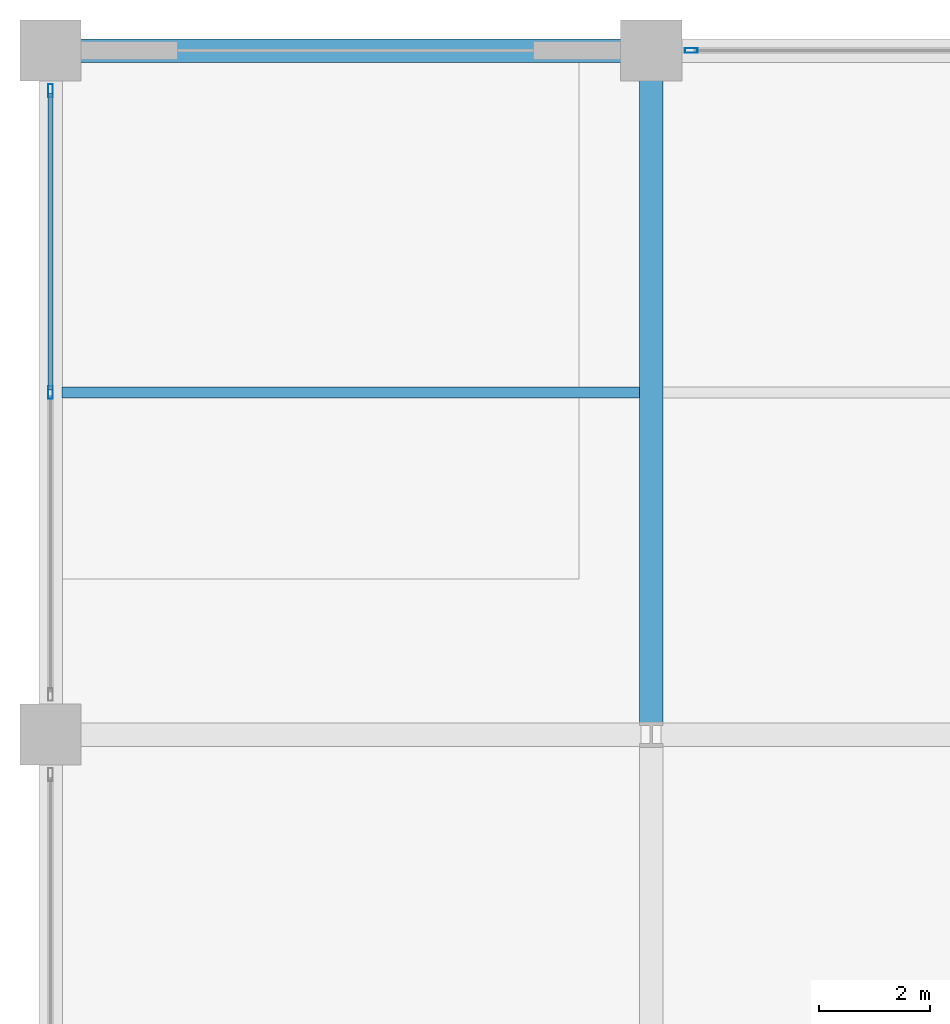
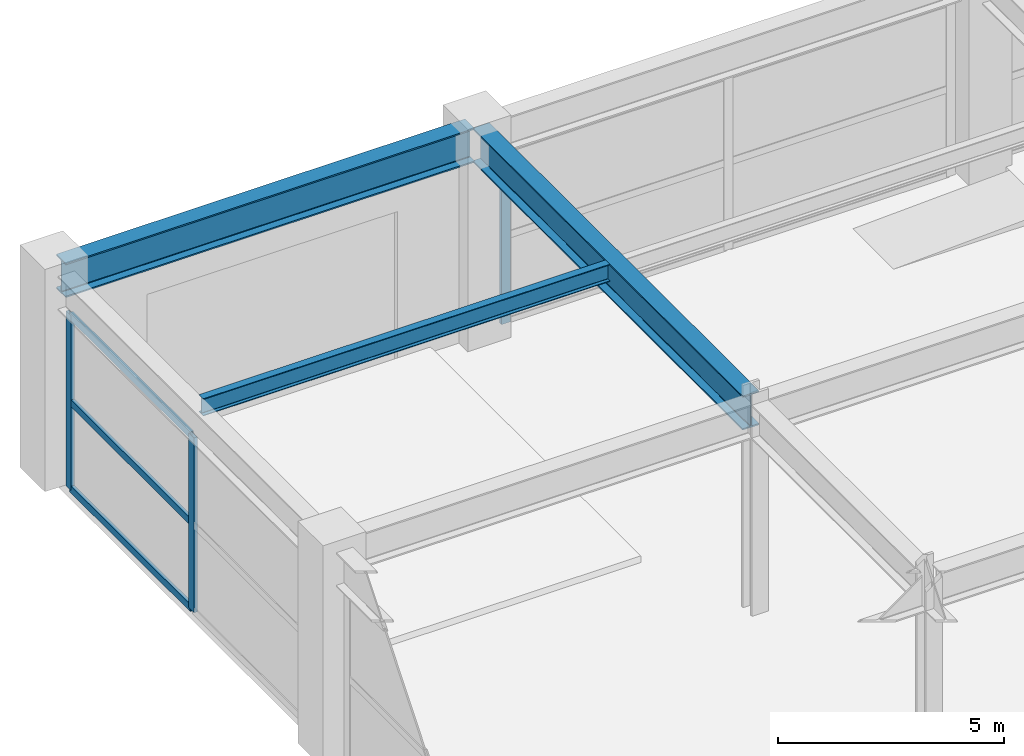
# One storey, part 15 of 41: 6 members, 3 beams, 2 elements without a shape of their own.
"""IFC4 building model written with IfcOpenShell, lengths in metres."""

from ifc_helpers import new_model, si_unit, direction, frame, origin, origin_2d, place, context, subcontext, project, spatial, hollow_rectangle, i_section, extrude, material, material_profile, profile_set, type_object, element, aggregate, save


model = new_model("IFC4")

# Units and contexts
model_context = context("Model", 3, precision=1e-05, world=origin(), true_north=direction((0.0, 1.0)))
body_context = subcontext(model_context, "Body", "Model", "MODEL_VIEW")
ifc_project = project(units=[si_unit("LENGTHUNIT", "METRE"), si_unit("AREAUNIT", "SQUARE_METRE"), si_unit("VOLUMEUNIT", "CUBIC_METRE"), si_unit("PLANEANGLEUNIT", "RADIAN"), si_unit("MASSUNIT", "GRAM", prefix="KILO")], contexts=[model_context])

# Site, building, storey
site_placement = place(None, origin())
site = spatial("IfcSite", under=ifc_project, at=site_placement, CompositionType="ELEMENT")
building_placement = place(site_placement, origin())
building = spatial("IfcBuilding", under=site, at=building_placement, Name="Kovane Verandah Tower", CompositionType="ELEMENT")
storey_placement = place(building_placement, origin())
storey = spatial("IfcBuildingStorey", under=building, at=storey_placement, Name="L00", CompositionType="ELEMENT", Elevation=0.0)

# Beams
ifc_material_1 = material(Name="Steel S460", Category="steel")
ifc_material_profile_1 = material_profile(ifc_material_1, i_section(OverallWidth=0.42041015625, OverallDepth=0.9208984375, WebThickness=0.021484375, FlangeThickness=0.03662109375, FilletRadius=0.024169921875, at=origin_2d()), Name="UB914x419x388")
ifc_profile_set_1 = profile_set([ifc_material_profile_1], Name="Steel S460")
beam_type_1 = type_object("IfcBeamType", Name="BM-UB914x388", PredefinedType="BEAM", material=ifc_profile_set_1)
beam_1_placement = place(storey_placement, frame((-1.820068359375, 56.5, 5.239501953125), z_axis=(1.0, 0.0, 0.0), x_axis=(0.0, 1.0, 0.0)))
element("IfcBeam", 1, at=beam_1_placement, inside=storey, type_object=beam_type_1, Name="L00 Podium Grid Girder X24", PredefinedType="BEAM", context=body_context, shape_type="SweptSolid", body=[
    extrude(i_section(OverallWidth=0.42041015625, OverallDepth=0.9208984375, WebThickness=0.021484375, FlangeThickness=0.03662109375, FilletRadius=0.024169921875, at=origin_2d()), origin(), (0.0, 0.0, 1.0), 10.440185546875),
])
beam_2_placement = place(storey_placement, frame((8.800048828125, 44.3798828125, 5.239501953125), z_axis=(0.0, 1.0, 0.0), x_axis=(-1.0, 0.0, 0.0)))
element("IfcBeam", 2, at=beam_2_placement, inside=storey, type_object=beam_type_1, Name="L00 Podium Grid Girder Y40", PredefinedType="BEAM", context=body_context, shape_type="SweptSolid", body=[
    extrude(i_section(OverallWidth=0.42041015625, OverallDepth=0.9208984375, WebThickness=0.021484375, FlangeThickness=0.03662109375, FilletRadius=0.024169921875, at=origin_2d()), origin(), (0.0, 0.0, 1.0), 11.940185546875),
])

# Curtain wall, member
ifc_material_2 = material(Name="Champagne Anodised Aluminium Frame with Low-E Clear Laminated Glass", Category="aluminium")
curtain_wall_type = type_object("IfcCurtainWallType", Name="CW-SYS-01-POD", PredefinedType="NOTDEFINED", material=ifc_material_2)
curtain_wall_1_placement = place(storey_placement, origin())
curtain_wall_1 = element("IfcCurtainWall", 3, at=curtain_wall_1_placement, inside=storey, type_object=curtain_wall_type, Name="Ground North Shopfront Curtain Wall Bay 2", PredefinedType="NOTDEFINED")
ifc_material_3 = material(Name="Champagne Anodised Aluminium 6063-T6", Category="aluminium")
ifc_material_profile_2 = material_profile(ifc_material_3, hollow_rectangle(XDim=0.0849609375, YDim=0.22998046875, WallThickness=0.00390625, at=origin_2d()), Name="AL85x230x4")
ifc_profile_set_2 = profile_set([ifc_material_profile_2], Name="Champagne Anodised Aluminium 6063-T6")
member_type_1 = type_object("IfcMemberType", Name="CW-MUL-85x230", PredefinedType="MULLION", material=ifc_profile_set_2)
member_1_placement = place(storey_placement, frame((9.52001953125, 56.5, 0.02001953125), z_axis=(0.0, 0.0, 1.0), x_axis=(0.0, 1.0, 0.0)))
member_1 = element("IfcMember", 4, at=member_1_placement, type_object=member_type_1, Name="Ground North Shopfront Curtain Wall Bay 2 Mullion 3", PredefinedType="MULLION", context=body_context, shape_type="SweptSolid", body=[
    extrude(hollow_rectangle(XDim=0.0849609375, YDim=0.22998046875, WallThickness=0.00390625, at=origin_2d()), origin(), (0.0, 0.0, 1.0), 4.718994140625),
])
aggregate(curtain_wall_1, [member_1])

# Curtain wall, members
curtain_wall_2_placement = place(storey_placement, origin())
curtain_wall_2 = element("IfcCurtainWall", 5, at=curtain_wall_2_placement, inside=storey, type_object=curtain_wall_type, Name="Ground West Shopfront Curtain Wall Bay 5", PredefinedType="NOTDEFINED")
member_2_placement = place(storey_placement, frame((-2.0, 55.780029296875, 0.02001953125), z_axis=(0.0, 0.0, 1.0), x_axis=(-1.0, 0.0, 0.0)))
member_2 = element("IfcMember", 6, at=member_2_placement, type_object=member_type_1, Name="Ground West Shopfront Curtain Wall Bay 5 Mullion 1", PredefinedType="MULLION", context=body_context, shape_type="SweptSolid", body=[
    extrude(hollow_rectangle(XDim=0.0849609375, YDim=0.22998046875, WallThickness=0.00390625, at=origin_2d()), origin(), (0.0, 0.0, 1.0), 4.718994140625),
])
member_3_placement = place(storey_placement, frame((-2.0, 50.35009765625, 0.02001953125), z_axis=(0.0, 0.0, 1.0), x_axis=(-1.0, 0.0, 0.0)))
member_3 = element("IfcMember", 7, at=member_3_placement, type_object=member_type_1, Name="Ground West Shopfront Curtain Wall Bay 5 Mullion 2", PredefinedType="MULLION", context=body_context, shape_type="SweptSolid", body=[
    extrude(hollow_rectangle(XDim=0.0849609375, YDim=0.22998046875, WallThickness=0.00390625, at=origin_2d()), origin(), (0.0, 0.0, 1.0), 4.718994140625),
])
ifc_material_profile_3 = material_profile(ifc_material_3, hollow_rectangle(XDim=0.0849609375, YDim=0.18994140625, WallThickness=0.00390625, at=origin_2d()), Name="AL85x190x4")
ifc_profile_set_3 = profile_set([ifc_material_profile_3], Name="Champagne Anodised Aluminium 6063-T6")
member_type_2 = type_object("IfcMemberType", Name="CW-TRN-85x190", PredefinedType="USERDEFINED", material=ifc_profile_set_3)
member_4_placement = place(storey_placement, frame((-2.0, 55.72998046875, 0.050048828125), z_axis=(0.0, -1.0, 0.0), x_axis=(1.0, 0.0, 0.0)))
member_4 = element("IfcMember", 8, at=member_4_placement, type_object=member_type_2, Name="Ground West Shopfront Curtain Wall Bay 5 Transom TB Bay 1", ObjectType="TRANSOM", PredefinedType="USERDEFINED", context=body_context, shape_type="SweptSolid", body=[
    extrude(hollow_rectangle(XDim=0.0849609375, YDim=0.18994140625, WallThickness=0.00390625, at=origin_2d()), origin(), (0.0, 0.0, 1.0), 5.330078125),
])
member_5_placement = place(storey_placement, frame((-2.0, 55.72998046875, 2.37939453125), z_axis=(0.0, -1.0, 0.0), x_axis=(1.0, 0.0, 0.0)))
member_5 = element("IfcMember", 9, at=member_5_placement, type_object=member_type_2, Name="Ground West Shopfront Curtain Wall Bay 5 Transom TM Bay 1", ObjectType="TRANSOM", PredefinedType="USERDEFINED", context=body_context, shape_type="SweptSolid", body=[
    extrude(hollow_rectangle(XDim=0.0849609375, YDim=0.18994140625, WallThickness=0.00390625, at=origin_2d()), origin(), (0.0, 0.0, 1.0), 5.330078125),
])
member_6_placement = place(storey_placement, frame((-2.0, 55.72998046875, 4.708984375), z_axis=(0.0, -1.0, 0.0), x_axis=(1.0, 0.0, 0.0)))
member_6 = element("IfcMember", 10, at=member_6_placement, type_object=member_type_2, Name="Ground West Shopfront Curtain Wall Bay 5 Transom TT Bay 1", ObjectType="TRANSOM", PredefinedType="USERDEFINED", context=body_context, shape_type="SweptSolid", body=[
    extrude(hollow_rectangle(XDim=0.0849609375, YDim=0.18994140625, WallThickness=0.00390625, at=origin_2d()), origin(), (0.0, 0.0, 1.0), 5.330078125),
])
aggregate(curtain_wall_2, [member_2, member_3, member_4, member_5, member_6])

# Beam
ifc_material_4 = material(Name="Steel S355", Category="steel")
ifc_material_profile_4 = material_profile(ifc_material_4, i_section(OverallWidth=0.19287109375, OverallDepth=0.46728515625, WebThickness=0.011474609375, FlangeThickness=0.01953125, FilletRadius=0.01025390625, at=origin_2d()), Name="UB457x191x98")
ifc_profile_set_4 = profile_set([ifc_material_profile_4], Name="Steel S355")
beam_type_2 = type_object("IfcBeamType", Name="JST-UB457x98", PredefinedType="JOIST", material=ifc_profile_set_4)
beam_3_placement = place(storey_placement, frame((-1.791748046875, 50.35009765625, 5.46630859375), z_axis=(1.0, 0.0, 0.0), x_axis=(0.0, 1.0, 0.0)))
element("IfcBeam", 11, at=beam_3_placement, inside=storey, type_object=beam_type_2, Name="L00 Podium Secondary Joist 08", PredefinedType="JOIST", context=body_context, shape_type="SweptSolid", body=[
    extrude(i_section(OverallWidth=0.19287109375, OverallDepth=0.46728515625, WebThickness=0.011474609375, FlangeThickness=0.01953125, FilletRadius=0.01025390625, at=origin_2d()), origin(), (0.0, 0.0, 1.0), 10.383544921875),
])

save(model, "model.ifc")
